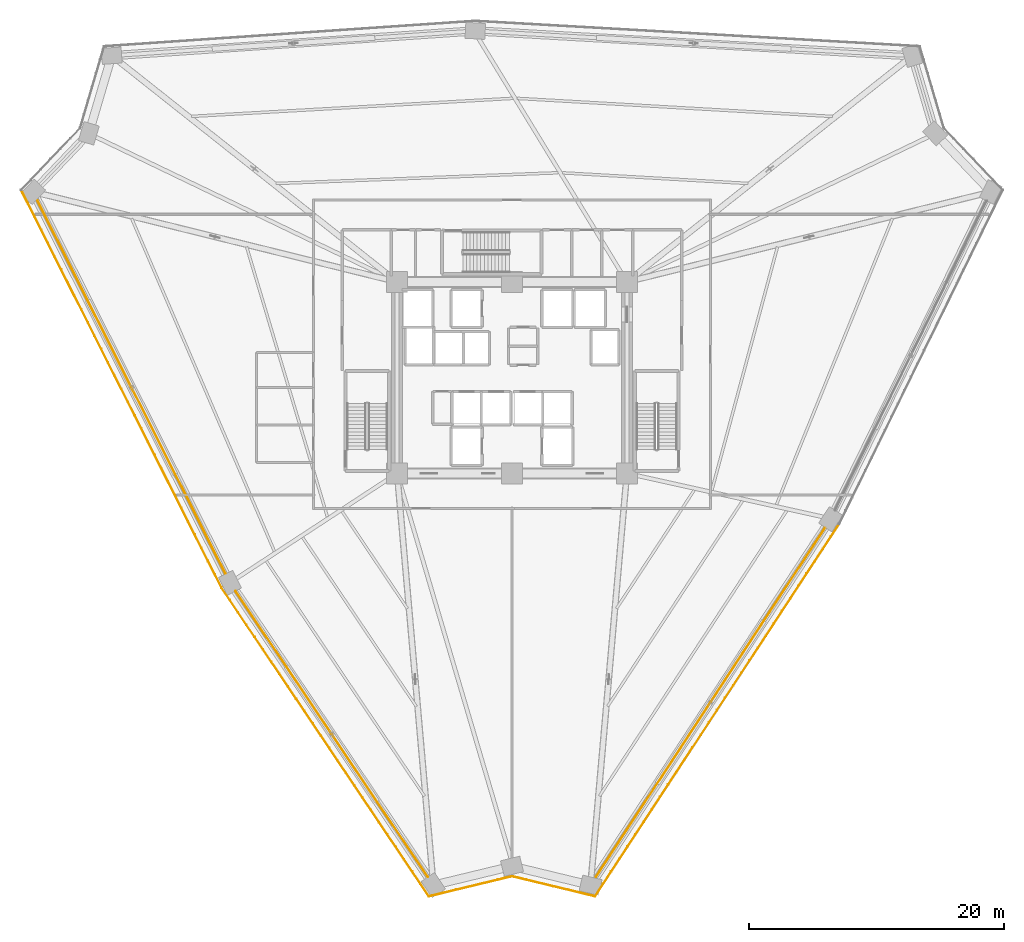
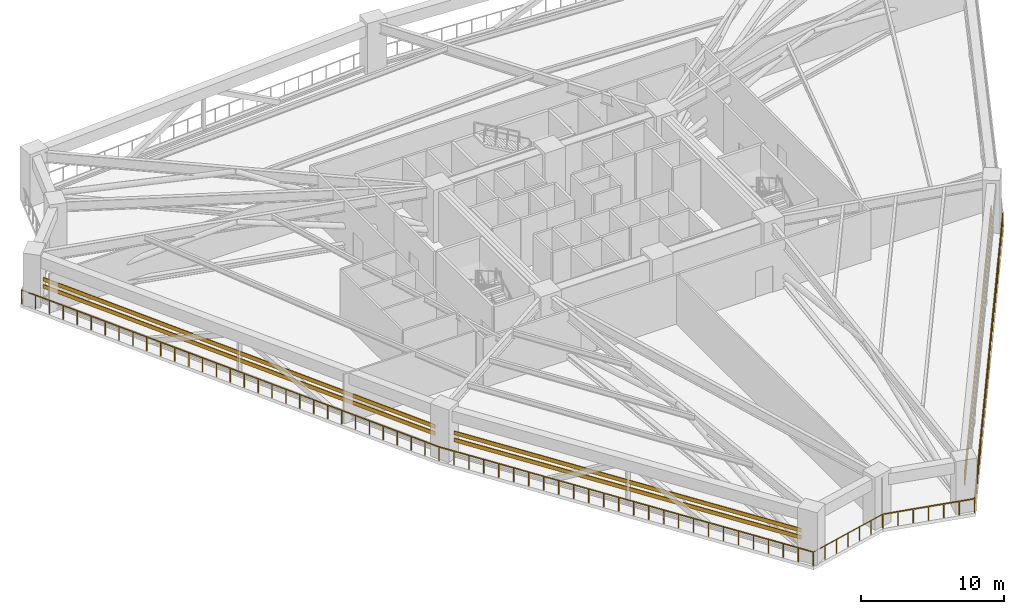
# One storey, part 21 of 25: 6 shading devices, 5 railings.
"""IFC4 building model written with IfcOpenShell, lengths in metres."""

from ifc_helpers import new_model, si_unit, direction, frame, origin, origin_2d, place, context, subcontext, project, spatial, rectangle, extrude, source, transform, mapped, material, material_profile, profile_set, type_object, element, save


model = new_model("IFC4")

# Units and contexts
model_context = context("Model", 3, precision=1e-05, world=origin(), true_north=direction((0.0, 1.0)))
body_context = subcontext(model_context, "Body", "Model", "MODEL_VIEW")
ifc_project = project(units=[si_unit("LENGTHUNIT", "METRE"), si_unit("AREAUNIT", "SQUARE_METRE"), si_unit("VOLUMEUNIT", "CUBIC_METRE"), si_unit("PLANEANGLEUNIT", "RADIAN"), si_unit("MASSUNIT", "GRAM", prefix="KILO")], contexts=[model_context])

# Site, building, storey
site_placement = place(None, origin())
site = spatial("IfcSite", under=ifc_project, at=site_placement, CompositionType="ELEMENT")
building_placement = place(site_placement, origin())
building = spatial("IfcBuilding", under=site, at=building_placement, Name="Liaohun Quay Tower", CompositionType="ELEMENT")
storey_placement = place(building_placement, frame((0.0, 0.0, 93.0)))
storey = spatial("IfcBuildingStorey", under=building, at=storey_placement, Name="L24", CompositionType="ELEMENT", Elevation=93.0)

# Railings
ifc_material_1 = material(Name="Galvanised and powder-coated steel", Category="steel")
railing_type = type_object("IfcRailingType", Name="RLG-GUARD-EXT", PredefinedType="GUARDRAIL", material=ifc_material_1)
railing_1_placement = place(storey_placement, frame((53.498046875, 13.35302734375, 0.0)))
element("IfcRailing", 1, at=railing_1_placement, inside=storey, type_object=railing_type, Name="L24 Open Refuge Band Perimeter Guardrail 01", PredefinedType="GUARDRAIL", context=body_context, shape_type="SweptSolid", body=[
    extrude(rectangle(XDim=0.048095703125, YDim=0.048095703125, at=origin_2d()), frame((0.0, 0.0, 1.17578125), z_axis=(-0.557876910211, 0.829923703152, 0.0), x_axis=(-0.829923703152, -0.557876910211, 0.0)), (0.0, 0.0, 1.0), 29.137451171875),
    extrude(rectangle(XDim=0.0419921875, YDim=0.0419921875, at=origin_2d()), origin(), (0.0, 0.0, 1.0), 1.15185546875),
    extrude(rectangle(XDim=0.0419921875, YDim=0.0419921875, at=origin_2d()), frame((-0.650146484375, 0.96728515625, 0.0)), (0.0, 0.0, 1.0), 1.15185546875),
    extrude(rectangle(XDim=0.0419921875, YDim=0.0419921875, at=origin_2d()), frame((-1.30029296875, 1.9345703125, 0.0)), (0.0, 0.0, 1.0), 1.15185546875),
    extrude(rectangle(XDim=0.0419921875, YDim=0.0419921875, at=origin_2d()), frame((-1.95068359375, 2.90185546875, 0.0)), (0.0, 0.0, 1.0), 1.15185546875),
    extrude(rectangle(XDim=0.0419921875, YDim=0.0419921875, at=origin_2d()), frame((-2.600830078125, 3.869140625, 0.0)), (0.0, 0.0, 1.0), 1.15185546875),
    extrude(rectangle(XDim=0.0419921875, YDim=0.0419921875, at=origin_2d()), frame((-3.2509765625, 4.83642578125, 0.0)), (0.0, 0.0, 1.0), 1.15185546875),
    extrude(rectangle(XDim=0.0419921875, YDim=0.0419921875, at=origin_2d()), frame((-3.901123046875, 5.8037109375, 0.0)), (0.0, 0.0, 1.0), 1.15185546875),
    extrude(rectangle(XDim=0.0419921875, YDim=0.0419921875, at=origin_2d()), frame((-4.551513671875, 6.77099609375, 0.0)), (0.0, 0.0, 1.0), 1.15185546875),
    extrude(rectangle(XDim=0.0419921875, YDim=0.0419921875, at=origin_2d()), frame((-5.20166015625, 7.73828125, 0.0)), (0.0, 0.0, 1.0), 1.15185546875),
    extrude(rectangle(XDim=0.0419921875, YDim=0.0419921875, at=origin_2d()), frame((-5.851806640625, 8.70556640625, 0.0)), (0.0, 0.0, 1.0), 1.15185546875),
    extrude(rectangle(XDim=0.0419921875, YDim=0.0419921875, at=origin_2d()), frame((-6.501953125, 9.6728515625, 0.0)), (0.0, 0.0, 1.0), 1.15185546875),
    extrude(rectangle(XDim=0.0419921875, YDim=0.0419921875, at=origin_2d()), frame((-7.15234375, 10.64013671875, 0.0)), (0.0, 0.0, 1.0), 1.15185546875),
    extrude(rectangle(XDim=0.0419921875, YDim=0.0419921875, at=origin_2d()), frame((-7.802490234375, 11.607421875, 0.0)), (0.0, 0.0, 1.0), 1.15185546875),
    extrude(rectangle(XDim=0.0419921875, YDim=0.0419921875, at=origin_2d()), frame((-8.45263671875, 12.574462890625, 0.0)), (0.0, 0.0, 1.0), 1.15185546875),
    extrude(rectangle(XDim=0.0419921875, YDim=0.0419921875, at=origin_2d()), frame((-9.102783203125, 13.541748046875, 0.0)), (0.0, 0.0, 1.0), 1.15185546875),
    extrude(rectangle(XDim=0.0419921875, YDim=0.0419921875, at=origin_2d()), frame((-9.753173828125, 14.509033203125, 0.0)), (0.0, 0.0, 1.0), 1.15185546875),
    extrude(rectangle(XDim=0.0419921875, YDim=0.0419921875, at=origin_2d()), frame((-10.4033203125, 15.476318359375, 0.0)), (0.0, 0.0, 1.0), 1.15185546875),
    extrude(rectangle(XDim=0.0419921875, YDim=0.0419921875, at=origin_2d()), frame((-11.053466796875, 16.443603515625, 0.0)), (0.0, 0.0, 1.0), 1.15185546875),
    extrude(rectangle(XDim=0.0419921875, YDim=0.0419921875, at=origin_2d()), frame((-11.70361328125, 17.410888671875, 0.0)), (0.0, 0.0, 1.0), 1.15185546875),
    extrude(rectangle(XDim=0.0419921875, YDim=0.0419921875, at=origin_2d()), frame((-12.35400390625, 18.378173828125, 0.0)), (0.0, 0.0, 1.0), 1.15185546875),
    extrude(rectangle(XDim=0.0419921875, YDim=0.0419921875, at=origin_2d()), frame((-13.004150390625, 19.345458984375, 0.0)), (0.0, 0.0, 1.0), 1.15185546875),
    extrude(rectangle(XDim=0.0419921875, YDim=0.0419921875, at=origin_2d()), frame((-13.654296875, 20.312744140625, 0.0)), (0.0, 0.0, 1.0), 1.15185546875),
    extrude(rectangle(XDim=0.0419921875, YDim=0.0419921875, at=origin_2d()), frame((-14.304443359375, 21.280029296875, 0.0)), (0.0, 0.0, 1.0), 1.15185546875),
    extrude(rectangle(XDim=0.0419921875, YDim=0.0419921875, at=origin_2d()), frame((-14.954833984375, 22.247314453125, 0.0)), (0.0, 0.0, 1.0), 1.15185546875),
    extrude(rectangle(XDim=0.0419921875, YDim=0.0419921875, at=origin_2d()), frame((-15.60498046875, 23.214599609375, 0.0)), (0.0, 0.0, 1.0), 1.15185546875),
    extrude(rectangle(XDim=0.0419921875, YDim=0.0419921875, at=origin_2d()), frame((-16.255126953125, 24.181884765625, 0.0)), (0.0, 0.0, 1.0), 1.15185546875),
])
railing_2_placement = place(storey_placement, frame((37.242919921875, 37.534912109375, 0.0)))
element("IfcRailing", 2, at=railing_2_placement, inside=storey, type_object=railing_type, Name="L24 Open Refuge Band Perimeter Guardrail 02", PredefinedType="GUARDRAIL", context=body_context, shape_type="SweptSolid", body=[
    extrude(rectangle(XDim=0.048095703125, YDim=0.048095703125, at=origin_2d()), frame((0.0, 0.0, 1.17578125), z_axis=(-0.449865220508, 0.893096458048, 0.0), x_axis=(-0.893096458048, -0.449865220508, 0.0)), (0.0, 0.0, 1.0), 34.887939453125),
    extrude(rectangle(XDim=0.0419921875, YDim=0.0419921875, at=origin_2d()), origin(), (0.0, 0.0, 1.0), 1.15185546875),
    extrude(rectangle(XDim=0.0419921875, YDim=0.0419921875, at=origin_2d()), frame((-0.523193359375, 1.03857421875, 0.0)), (0.0, 0.0, 1.0), 1.15185546875),
    extrude(rectangle(XDim=0.0419921875, YDim=0.0419921875, at=origin_2d()), frame((-1.04638671875, 2.0771484375, 0.0)), (0.0, 0.0, 1.0), 1.15185546875),
    extrude(rectangle(XDim=0.0419921875, YDim=0.0419921875, at=origin_2d()), frame((-1.569580078125, 3.11572265625, 0.0)), (0.0, 0.0, 1.0), 1.15185546875),
    extrude(rectangle(XDim=0.0419921875, YDim=0.0419921875, at=origin_2d()), frame((-2.092529296875, 4.154541015625, 0.0)), (0.0, 0.0, 1.0), 1.15185546875),
    extrude(rectangle(XDim=0.0419921875, YDim=0.0419921875, at=origin_2d()), frame((-2.61572265625, 5.193115234375, 0.0)), (0.0, 0.0, 1.0), 1.15185546875),
    extrude(rectangle(XDim=0.0419921875, YDim=0.0419921875, at=origin_2d()), frame((-3.138916015625, 6.231689453125, 0.0)), (0.0, 0.0, 1.0), 1.15185546875),
    extrude(rectangle(XDim=0.0419921875, YDim=0.0419921875, at=origin_2d()), frame((-3.662109375, 7.270263671875, 0.0)), (0.0, 0.0, 1.0), 1.15185546875),
    extrude(rectangle(XDim=0.0419921875, YDim=0.0419921875, at=origin_2d()), frame((-4.185302734375, 8.308837890625, 0.0)), (0.0, 0.0, 1.0), 1.15185546875),
    extrude(rectangle(XDim=0.0419921875, YDim=0.0419921875, at=origin_2d()), frame((-4.70849609375, 9.347412109375, 0.0)), (0.0, 0.0, 1.0), 1.15185546875),
    extrude(rectangle(XDim=0.0419921875, YDim=0.0419921875, at=origin_2d()), frame((-5.231689453125, 10.385986328125, 0.0)), (0.0, 0.0, 1.0), 1.15185546875),
    extrude(rectangle(XDim=0.0419921875, YDim=0.0419921875, at=origin_2d()), frame((-5.7548828125, 11.424560546875, 0.0)), (0.0, 0.0, 1.0), 1.15185546875),
    extrude(rectangle(XDim=0.0419921875, YDim=0.0419921875, at=origin_2d()), frame((-6.27783203125, 12.46337890625, 0.0)), (0.0, 0.0, 1.0), 1.15185546875),
    extrude(rectangle(XDim=0.0419921875, YDim=0.0419921875, at=origin_2d()), frame((-6.801025390625, 13.501953125, 0.0)), (0.0, 0.0, 1.0), 1.15185546875),
    extrude(rectangle(XDim=0.0419921875, YDim=0.0419921875, at=origin_2d()), frame((-7.32421875, 14.54052734375, 0.0)), (0.0, 0.0, 1.0), 1.15185546875),
    extrude(rectangle(XDim=0.0419921875, YDim=0.0419921875, at=origin_2d()), frame((-7.847412109375, 15.5791015625, 0.0)), (0.0, 0.0, 1.0), 1.15185546875),
    extrude(rectangle(XDim=0.0419921875, YDim=0.0419921875, at=origin_2d()), frame((-8.37060546875, 16.61767578125, 0.0)), (0.0, 0.0, 1.0), 1.15185546875),
    extrude(rectangle(XDim=0.0419921875, YDim=0.0419921875, at=origin_2d()), frame((-8.893798828125, 17.65625, 0.0)), (0.0, 0.0, 1.0), 1.15185546875),
    extrude(rectangle(XDim=0.0419921875, YDim=0.0419921875, at=origin_2d()), frame((-9.4169921875, 18.69482421875, 0.0)), (0.0, 0.0, 1.0), 1.15185546875),
    extrude(rectangle(XDim=0.0419921875, YDim=0.0419921875, at=origin_2d()), frame((-9.93994140625, 19.733642578125, 0.0)), (0.0, 0.0, 1.0), 1.15185546875),
    extrude(rectangle(XDim=0.0419921875, YDim=0.0419921875, at=origin_2d()), frame((-10.463134765625, 20.772216796875, 0.0)), (0.0, 0.0, 1.0), 1.15185546875),
    extrude(rectangle(XDim=0.0419921875, YDim=0.0419921875, at=origin_2d()), frame((-10.986328125, 21.810791015625, 0.0)), (0.0, 0.0, 1.0), 1.15185546875),
    extrude(rectangle(XDim=0.0419921875, YDim=0.0419921875, at=origin_2d()), frame((-11.509521484375, 22.849365234375, 0.0)), (0.0, 0.0, 1.0), 1.15185546875),
    extrude(rectangle(XDim=0.0419921875, YDim=0.0419921875, at=origin_2d()), frame((-12.03271484375, 23.887939453125, 0.0)), (0.0, 0.0, 1.0), 1.15185546875),
    extrude(rectangle(XDim=0.0419921875, YDim=0.0419921875, at=origin_2d()), frame((-12.555908203125, 24.926513671875, 0.0)), (0.0, 0.0, 1.0), 1.15185546875),
    extrude(rectangle(XDim=0.0419921875, YDim=0.0419921875, at=origin_2d()), frame((-13.0791015625, 25.965087890625, 0.0)), (0.0, 0.0, 1.0), 1.15185546875),
    extrude(rectangle(XDim=0.0419921875, YDim=0.0419921875, at=origin_2d()), frame((-13.602294921875, 27.003662109375, 0.0)), (0.0, 0.0, 1.0), 1.15185546875),
    extrude(rectangle(XDim=0.0419921875, YDim=0.0419921875, at=origin_2d()), frame((-14.125244140625, 28.04248046875, 0.0)), (0.0, 0.0, 1.0), 1.15185546875),
    extrude(rectangle(XDim=0.0419921875, YDim=0.0419921875, at=origin_2d()), frame((-14.6484375, 29.0810546875, 0.0)), (0.0, 0.0, 1.0), 1.15185546875),
    extrude(rectangle(XDim=0.0419921875, YDim=0.0419921875, at=origin_2d()), frame((-15.171630859375, 30.11962890625, 0.0)), (0.0, 0.0, 1.0), 1.15185546875),
    extrude(rectangle(XDim=0.0419921875, YDim=0.0419921875, at=origin_2d()), frame((-15.69482421875, 31.158203125, 0.0)), (0.0, 0.0, 1.0), 1.15185546875),
])
railing_3_placement = place(storey_placement, frame((85.636962890625, 42.52490234375, 0.0)))
element("IfcRailing", 3, at=railing_3_placement, inside=storey, type_object=railing_type, Name="L24 Open Refuge Band Perimeter Guardrail 10", PredefinedType="GUARDRAIL", context=body_context, shape_type="SweptSolid", body=[
    extrude(rectangle(XDim=0.048095703125, YDim=0.048095703125, at=origin_2d()), frame((0.0, 0.0, 1.17578125), z_axis=(-0.548495018391, -0.836153822451, 0.0), x_axis=(0.836153822451, -0.548495018391, 0.0)), (0.0, 0.0, 1.0), 34.88818359375),
    extrude(rectangle(XDim=0.0419921875, YDim=0.0419921875, at=origin_2d()), origin(), (0.0, 0.0, 1.0), 1.15185546875),
    extrude(rectangle(XDim=0.0419921875, YDim=0.0419921875, at=origin_2d()), frame((-0.637939453125, -0.972412109375, 0.0)), (0.0, 0.0, 1.0), 1.15185546875),
    extrude(rectangle(XDim=0.0419921875, YDim=0.0419921875, at=origin_2d()), frame((-1.275634765625, -1.94482421875, 0.0)), (0.0, 0.0, 1.0), 1.15185546875),
    extrude(rectangle(XDim=0.0419921875, YDim=0.0419921875, at=origin_2d()), frame((-1.91357421875, -2.917236328125, 0.0)), (0.0, 0.0, 1.0), 1.15185546875),
    extrude(rectangle(XDim=0.0419921875, YDim=0.0419921875, at=origin_2d()), frame((-2.551513671875, -3.8896484375, 0.0)), (0.0, 0.0, 1.0), 1.15185546875),
    extrude(rectangle(XDim=0.0419921875, YDim=0.0419921875, at=origin_2d()), frame((-3.189453125, -4.862060546875, 0.0)), (0.0, 0.0, 1.0), 1.15185546875),
    extrude(rectangle(XDim=0.0419921875, YDim=0.0419921875, at=origin_2d()), frame((-3.8271484375, -5.83447265625, 0.0)), (0.0, 0.0, 1.0), 1.15185546875),
    extrude(rectangle(XDim=0.0419921875, YDim=0.0419921875, at=origin_2d()), frame((-4.465087890625, -6.806884765625, 0.0)), (0.0, 0.0, 1.0), 1.15185546875),
    extrude(rectangle(XDim=0.0419921875, YDim=0.0419921875, at=origin_2d()), frame((-5.10302734375, -7.779052734375, 0.0)), (0.0, 0.0, 1.0), 1.15185546875),
    extrude(rectangle(XDim=0.0419921875, YDim=0.0419921875, at=origin_2d()), frame((-5.74072265625, -8.75146484375, 0.0)), (0.0, 0.0, 1.0), 1.15185546875),
    extrude(rectangle(XDim=0.0419921875, YDim=0.0419921875, at=origin_2d()), frame((-6.378662109375, -9.723876953125, 0.0)), (0.0, 0.0, 1.0), 1.15185546875),
    extrude(rectangle(XDim=0.0419921875, YDim=0.0419921875, at=origin_2d()), frame((-7.0166015625, -10.6962890625, 0.0)), (0.0, 0.0, 1.0), 1.15185546875),
    extrude(rectangle(XDim=0.0419921875, YDim=0.0419921875, at=origin_2d()), frame((-7.654296875, -11.668701171875, 0.0)), (0.0, 0.0, 1.0), 1.15185546875),
    extrude(rectangle(XDim=0.0419921875, YDim=0.0419921875, at=origin_2d()), frame((-8.292236328125, -12.64111328125, 0.0)), (0.0, 0.0, 1.0), 1.15185546875),
    extrude(rectangle(XDim=0.0419921875, YDim=0.0419921875, at=origin_2d()), frame((-8.93017578125, -13.613525390625, 0.0)), (0.0, 0.0, 1.0), 1.15185546875),
    extrude(rectangle(XDim=0.0419921875, YDim=0.0419921875, at=origin_2d()), frame((-9.56787109375, -14.5859375, 0.0)), (0.0, 0.0, 1.0), 1.15185546875),
    extrude(rectangle(XDim=0.0419921875, YDim=0.0419921875, at=origin_2d()), frame((-10.205810546875, -15.558349609375, 0.0)), (0.0, 0.0, 1.0), 1.15185546875),
    extrude(rectangle(XDim=0.0419921875, YDim=0.0419921875, at=origin_2d()), frame((-10.84375, -16.53076171875, 0.0)), (0.0, 0.0, 1.0), 1.15185546875),
    extrude(rectangle(XDim=0.0419921875, YDim=0.0419921875, at=origin_2d()), frame((-11.481689453125, -17.503173828125, 0.0)), (0.0, 0.0, 1.0), 1.15185546875),
    extrude(rectangle(XDim=0.0419921875, YDim=0.0419921875, at=origin_2d()), frame((-12.119384765625, -18.4755859375, 0.0)), (0.0, 0.0, 1.0), 1.15185546875),
    extrude(rectangle(XDim=0.0419921875, YDim=0.0419921875, at=origin_2d()), frame((-12.75732421875, -19.447998046875, 0.0)), (0.0, 0.0, 1.0), 1.15185546875),
    extrude(rectangle(XDim=0.0419921875, YDim=0.0419921875, at=origin_2d()), frame((-13.395263671875, -20.42041015625, 0.0)), (0.0, 0.0, 1.0), 1.15185546875),
    extrude(rectangle(XDim=0.0419921875, YDim=0.0419921875, at=origin_2d()), frame((-14.032958984375, -21.392822265625, 0.0)), (0.0, 0.0, 1.0), 1.15185546875),
    extrude(rectangle(XDim=0.0419921875, YDim=0.0419921875, at=origin_2d()), frame((-14.6708984375, -22.364990234375, 0.0)), (0.0, 0.0, 1.0), 1.15185546875),
    extrude(rectangle(XDim=0.0419921875, YDim=0.0419921875, at=origin_2d()), frame((-15.308837890625, -23.33740234375, 0.0)), (0.0, 0.0, 1.0), 1.15185546875),
    extrude(rectangle(XDim=0.0419921875, YDim=0.0419921875, at=origin_2d()), frame((-15.94677734375, -24.309814453125, 0.0)), (0.0, 0.0, 1.0), 1.15185546875),
    extrude(rectangle(XDim=0.0419921875, YDim=0.0419921875, at=origin_2d()), frame((-16.58447265625, -25.2822265625, 0.0)), (0.0, 0.0, 1.0), 1.15185546875),
    extrude(rectangle(XDim=0.0419921875, YDim=0.0419921875, at=origin_2d()), frame((-17.222412109375, -26.254638671875, 0.0)), (0.0, 0.0, 1.0), 1.15185546875),
    extrude(rectangle(XDim=0.0419921875, YDim=0.0419921875, at=origin_2d()), frame((-17.8603515625, -27.22705078125, 0.0)), (0.0, 0.0, 1.0), 1.15185546875),
    extrude(rectangle(XDim=0.0419921875, YDim=0.0419921875, at=origin_2d()), frame((-18.498046875, -28.199462890625, 0.0)), (0.0, 0.0, 1.0), 1.15185546875),
    extrude(rectangle(XDim=0.0419921875, YDim=0.0419921875, at=origin_2d()), frame((-19.135986328125, -29.171875, 0.0)), (0.0, 0.0, 1.0), 1.15185546875),
])
railing_4_placement = place(storey_placement, frame((66.5009765625, 13.35302734375, 0.0)))
element("IfcRailing", 4, at=railing_4_placement, inside=storey, type_object=railing_type, Name="L24 Open Refuge Band Perimeter Guardrail 11", PredefinedType="GUARDRAIL", context=body_context, shape_type="SweptSolid", body=[
    extrude(rectangle(XDim=0.048095703125, YDim=0.048095703125, at=origin_2d()), frame((0.0, 0.0, 1.17578125), z_axis=(-0.972052627777, 0.234763048266, 0.0), x_axis=(-0.234763048266, -0.972052627777, 0.0)), (0.0, 0.0, 1.0), 6.68798828125),
    extrude(rectangle(XDim=0.0419921875, YDim=0.0419921875, at=origin_2d()), origin(), (0.0, 0.0, 1.0), 1.15185546875),
    extrude(rectangle(XDim=0.0419921875, YDim=0.0419921875, at=origin_2d()), frame((-1.08349609375, 0.26171875, 0.0)), (0.0, 0.0, 1.0), 1.15185546875),
    extrude(rectangle(XDim=0.0419921875, YDim=0.0419921875, at=origin_2d()), frame((-2.1669921875, 0.5234375, 0.0)), (0.0, 0.0, 1.0), 1.15185546875),
    extrude(rectangle(XDim=0.0419921875, YDim=0.0419921875, at=origin_2d()), frame((-3.25048828125, 0.78515625, 0.0)), (0.0, 0.0, 1.0), 1.15185546875),
    extrude(rectangle(XDim=0.0419921875, YDim=0.0419921875, at=origin_2d()), frame((-4.333984375, 1.046630859375, 0.0)), (0.0, 0.0, 1.0), 1.15185546875),
    extrude(rectangle(XDim=0.0419921875, YDim=0.0419921875, at=origin_2d()), frame((-5.41748046875, 1.308349609375, 0.0)), (0.0, 0.0, 1.0), 1.15185546875),
    extrude(rectangle(XDim=0.0419921875, YDim=0.0419921875, at=origin_2d()), frame((-6.5009765625, 1.570068359375, 0.0)), (0.0, 0.0, 1.0), 1.15185546875),
])
railing_5_placement = place(storey_placement, frame((60.0, 14.923095703125, 0.0)))
element("IfcRailing", 5, at=railing_5_placement, inside=storey, type_object=railing_type, Name="L24 Open Refuge Band Perimeter Guardrail 12", PredefinedType="GUARDRAIL", context=body_context, shape_type="SweptSolid", body=[
    extrude(rectangle(XDim=0.048095703125, YDim=0.048095703125, at=origin_2d()), frame((0.0, 0.0, 1.17578125), z_axis=(-0.972060673744, -0.234729730882, 0.0), x_axis=(0.234729730882, -0.972060673744, 0.0)), (0.0, 0.0, 1.0), 6.688720703125),
    extrude(rectangle(XDim=0.0419921875, YDim=0.0419921875, at=origin_2d()), origin(), (0.0, 0.0, 1.0), 1.15185546875),
    extrude(rectangle(XDim=0.0419921875, YDim=0.0419921875, at=origin_2d()), frame((-1.083740234375, -0.26171875, 0.0)), (0.0, 0.0, 1.0), 1.15185546875),
    extrude(rectangle(XDim=0.0419921875, YDim=0.0419921875, at=origin_2d()), frame((-2.167236328125, -0.5234375, 0.0)), (0.0, 0.0, 1.0), 1.15185546875),
    extrude(rectangle(XDim=0.0419921875, YDim=0.0419921875, at=origin_2d()), frame((-3.2509765625, -0.78515625, 0.0)), (0.0, 0.0, 1.0), 1.15185546875),
    extrude(rectangle(XDim=0.0419921875, YDim=0.0419921875, at=origin_2d()), frame((-4.334716796875, -1.046630859375, 0.0)), (0.0, 0.0, 1.0), 1.15185546875),
    extrude(rectangle(XDim=0.0419921875, YDim=0.0419921875, at=origin_2d()), frame((-5.418212890625, -1.308349609375, 0.0)), (0.0, 0.0, 1.0), 1.15185546875),
    extrude(rectangle(XDim=0.0419921875, YDim=0.0419921875, at=origin_2d()), frame((-6.501953125, -1.570068359375, 0.0)), (0.0, 0.0, 1.0), 1.15185546875),
])

# Shading devices
ifc_material_2 = material(Name="Fluorocarbon-coated aluminium", Category="aluminium")
ifc_material_profile = material_profile(ifc_material_2, rectangle(XDim=0.06494140625, YDim=0.320068359375, at=origin_2d()), Name="ALU-LVR-320x65")
ifc_profile_set = profile_set([ifc_material_profile], Name="Fluorocarbon-coated aluminium")
shading_device_type = type_object("IfcShadingDeviceType", Name="SHD-LVR-REF", PredefinedType="USERDEFINED", material=ifc_profile_set)
shared_shape_1 = source(origin(), body_context, "Body", "SweptSolid", [
    extrude(rectangle(XDim=0.06494140625, YDim=0.320068359375, at=origin_2d()), origin(), (0.0, 0.0, 1.0), 27.0234375),
])
for number, where, z_axis, x_axis, name in (
    (6, (53.410888671875, 14.862060546875, 1.550048828125), (-0.557846442621, 0.829944182735, 0.0), (-0.829944182735, -0.557846442621, 0.0), "L24 Refuge Plant Acoustic Louvre Blade LV-1-01"),
    (7, (53.410888671875, 14.862060546875, 2.14990234375), (-0.557846442621, 0.829944182735, 0.0), (-0.829944182735, -0.557846442621, 0.0), "L24 Refuge Plant Acoustic Louvre Blade LV-1-02"),
):
    element("IfcShadingDevice", number, at=place(storey_placement, frame(where, z_axis=z_axis, x_axis=x_axis)), inside=storey, type_object=shading_device_type, Name=name, ObjectType="LOUVRE", PredefinedType="USERDEFINED", context=body_context, shape_type="MappedRepresentation", body=[
        mapped(shared_shape_1, transform((0.0, 0.0, 0.0), x_axis=(1.0, 0.0, 0.0), y_axis=(0.0, 1.0, 0.0), z_axis=(0.0, 0.0, 1.0), scale=1.0)),
    ])
shared_shape_2 = source(origin(), body_context, "Body", "SweptSolid", [
    extrude(rectangle(XDim=0.06494140625, YDim=0.320068359375, at=origin_2d()), origin(), (0.0, 0.0, 1.0), 32.767578125),
])
for number, where, z_axis, x_axis, name in (
    (8, (37.56494140625, 38.60791015625, 1.550048828125), (-0.449893825909, 0.893082048531, 0.0), (-0.893082048531, -0.449893825909, 0.0), "L24 Refuge Plant Acoustic Louvre Blade LV-1-03"),
    (9, (37.56494140625, 38.60791015625, 2.14990234375), (-0.449893825909, 0.893082048531, 0.0), (-0.893082048531, -0.449893825909, 0.0), "L24 Refuge Plant Acoustic Louvre Blade LV-1-04"),
):
    element("IfcShadingDevice", number, at=place(storey_placement, frame(where, z_axis=z_axis, x_axis=x_axis)), inside=storey, type_object=shading_device_type, Name=name, ObjectType="LOUVRE", PredefinedType="USERDEFINED", context=body_context, shape_type="MappedRepresentation", body=[
        mapped(shared_shape_2, transform((0.0, 0.0, 0.0), x_axis=(1.0, 0.0, 0.0), y_axis=(0.0, 1.0, 0.0), z_axis=(0.0, 0.0, 1.0), scale=1.0)),
    ])
shared_shape_3 = source(origin(), body_context, "Body", "SweptSolid", [
    extrude(rectangle(XDim=0.06494140625, YDim=0.320068359375, at=origin_2d()), origin(), (0.0, 0.0, 1.0), 32.766845703125),
])
for number, where, z_axis, x_axis, name in (
    (10, (84.547119140625, 42.26708984375, 1.550048828125), (-0.548487984854, -0.836158436225, 0.0), (0.836158436225, -0.548487984854, 0.0), "L24 Refuge Plant Acoustic Louvre Blade LV-1-07"),
    (11, (84.547119140625, 42.26708984375, 2.14990234375), (-0.548487984854, -0.836158436225, 0.0), (0.836158436225, -0.548487984854, 0.0), "L24 Refuge Plant Acoustic Louvre Blade LV-1-08"),
):
    element("IfcShadingDevice", number, at=place(storey_placement, frame(where, z_axis=z_axis, x_axis=x_axis)), inside=storey, type_object=shading_device_type, Name=name, ObjectType="LOUVRE", PredefinedType="USERDEFINED", context=body_context, shape_type="MappedRepresentation", body=[
        mapped(shared_shape_3, transform((0.0, 0.0, 0.0), x_axis=(1.0, 0.0, 0.0), y_axis=(0.0, 1.0, 0.0), z_axis=(0.0, 0.0, 1.0), scale=1.0)),
    ])

save(model, "model.ifc")
